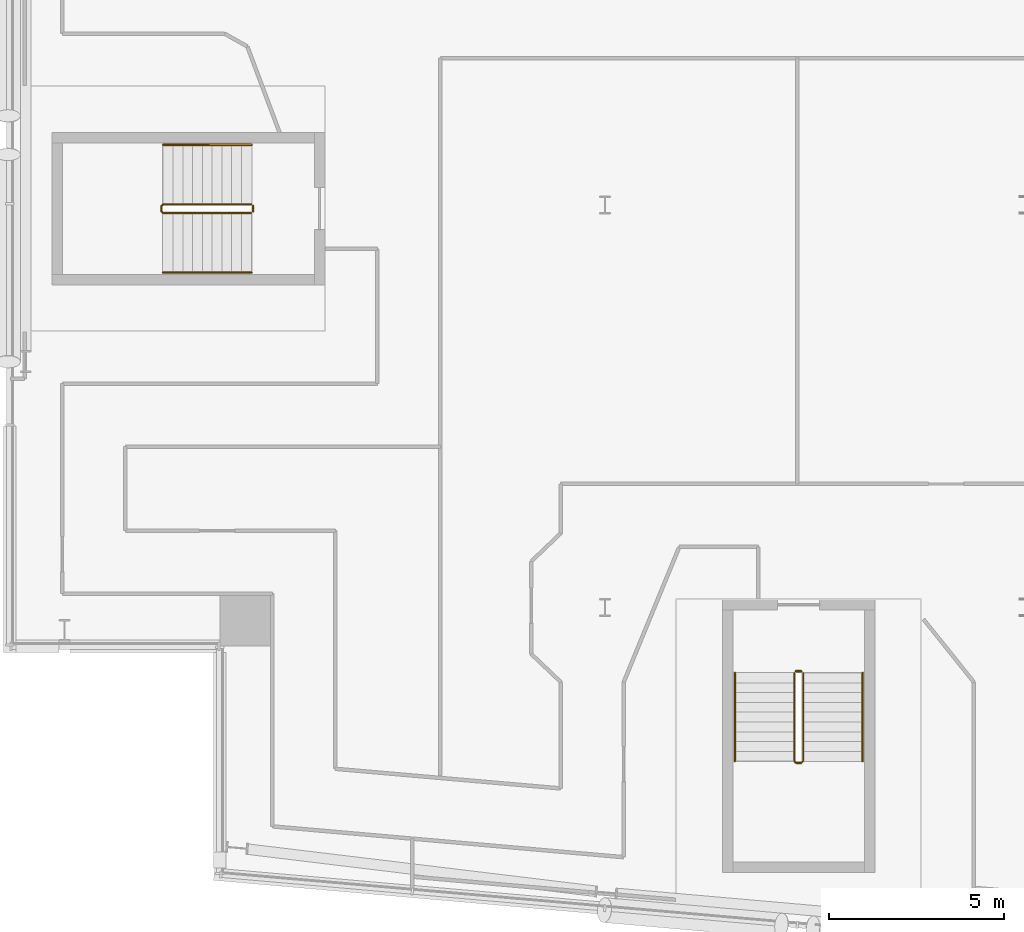
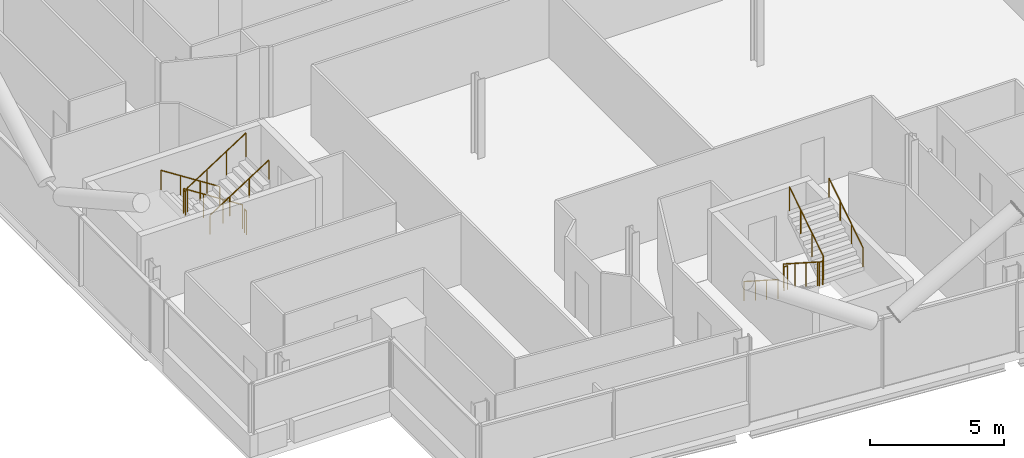
# One storey, part 26 of 28: 8 railings.
"""IFC4 building model written with IfcOpenShell, lengths in metres."""

import ifcopenshell
import ifcopenshell.guid

model = None  # the IFC model being written
_history = None  # IfcOwnerHistory: only IFC2X3 demands one
_inside = {}  # id of a spatial element -> (the spatial element, [elements in it])
_under = {}  # id of a project, library or spatial element -> (it, [spatial elements below it])
_declared = {}  # id of a project -> (the project, [libraries it declares])
_typed = {}  # id of a type object -> (the type object, [elements of that type])
_made_of = {}  # id of a material, layer set ... -> (it, [elements and type objects made of it])


def new_model(schema):
    """Start an empty IFC model of exactly this schema.

    Asked for "IFC4X3", IfcOpenShell would pick the latest addendum, in which some entities
    have other attributes; the version numbers below select the first issue.
    IFC2X3 requires an IfcOwnerHistory on every rooted entity: one is made here for all.
    """
    global model, _history
    if schema == "IFC4X3":
        model = ifcopenshell.file(schema_version=(4, 3, 0, 0))
    else:
        model = ifcopenshell.file(schema=schema)
    _inside.clear()
    _under.clear()
    _declared.clear()
    _typed.clear()
    _made_of.clear()
    _history = None
    if model.schema == "IFC2X3":
        org = make("IfcOrganization", Name="unknown")
        user = make(
            "IfcPersonAndOrganization",
            ThePerson=make("IfcPerson", FamilyName="unknown"),
            TheOrganization=org,
        )
        app = make(
            "IfcApplication",
            ApplicationDeveloper=org,
            Version="unknown",
            ApplicationFullName="unknown",
            ApplicationIdentifier="unknown",
        )
        _history = make(
            "IfcOwnerHistory",
            OwningUser=user,
            OwningApplication=app,
            ChangeAction="ADDED",
            CreationDate=0,
        )
    return model


def make(cls, **values):
    """One entity of the class cls with the attributes given. An attribute that is None is left unset."""
    return model.create_entity(
        cls, **{name: value for name, value in values.items() if value is not None}
    )


def rooted(cls, **values):
    """An entity with a GlobalId (a new one), such as an element, a storey or a relation."""
    return make(cls, GlobalId=ifcopenshell.guid.new(), OwnerHistory=_history, **values)


def si_unit(unit_type, name, prefix=None):
    """IfcSIUnit, for example si_unit("LENGTHUNIT", "METRE", prefix="MILLI")."""
    return make("IfcSIUnit", UnitType=unit_type, Prefix=prefix, Name=name)


def assignment(units):
    """IfcUnitAssignment: the units of a project."""
    return None if units is None else make("IfcUnitAssignment", Units=units)


def point(xyz):
    """IfcCartesianPoint."""
    return None if xyz is None else make("IfcCartesianPoint", Coordinates=xyz)


def direction(xyz):
    """IfcDirection."""
    return None if xyz is None else make("IfcDirection", DirectionRatios=xyz)


def frame(location, z_axis=None, x_axis=None):
    """IfcAxis2Placement3D, a coordinate frame: its origin and axes. An axis left out is left unset."""
    return make(
        "IfcAxis2Placement3D",
        Location=point(location),
        Axis=direction(z_axis),
        RefDirection=direction(x_axis),
    )


def frame_2d(location, x_axis=None):
    """IfcAxis2Placement2D, a coordinate frame in the plane: its origin and x axis."""
    return make(
        "IfcAxis2Placement2D", Location=point(location), RefDirection=direction(x_axis)
    )


def origin():
    """The frame at (0, 0, 0) with its axes left unset."""
    return frame((0.0, 0.0, 0.0))


def origin_2d():
    """The frame at (0, 0) in the plane with its x axis left unset."""
    return frame_2d((0.0, 0.0))


def place(relative_to, where):
    """IfcLocalPlacement: puts the frame where relative to a parent placement (None: the world)."""
    return make(
        "IfcLocalPlacement", PlacementRelTo=relative_to, RelativePlacement=where
    )


def context(
    kind, dimensions, precision=None, world=None, true_north=None, identifier=None
):
    """IfcGeometricRepresentationContext, for example the 3D "Model" context."""
    return make(
        "IfcGeometricRepresentationContext",
        ContextIdentifier=identifier,
        ContextType=kind,
        CoordinateSpaceDimension=dimensions,
        Precision=precision,
        WorldCoordinateSystem=world,
        TrueNorth=true_north,
    )


def subcontext(parent, identifier, kind, view, scale=None):
    """IfcGeometricRepresentationSubContext, for example "Body" below "Model"."""
    return make(
        "IfcGeometricRepresentationSubContext",
        ContextIdentifier=identifier,
        ContextType=kind,
        ParentContext=parent,
        TargetScale=scale,
        TargetView=view,
    )


def project(units=None, contexts=None):
    """IfcProject with its units and contexts."""
    return rooted(
        "IfcProject",
        Name="project",
        RepresentationContexts=contexts,
        UnitsInContext=assignment(units),
    )


def spatial(cls, under=None, at=None, **own):
    """A site, building, storey or space (cls), placed at a placement, below another one or the project."""
    s = rooted(cls, ObjectPlacement=at, **own)
    if under is not None:
        _under.setdefault(under.id(), (under, []))[1].append(s)
    return s


def profile(cls, at=None, kind="AREA", **sizes):
    """A parametric profile (cls). Its sizes go by their IFC names, for example OverallWidth=200.0."""
    return make(cls, ProfileType=kind, Position=at, **sizes)


def circle(**sizes):
    """IfcCircleProfileDef."""
    return profile("IfcCircleProfileDef", **sizes)


def extrude(swept, where, along, depth):
    """IfcExtrudedAreaSolid: the profile swept, set in the frame where, extruded along a direction by depth."""
    return make(
        "IfcExtrudedAreaSolid",
        SweptArea=swept,
        Position=where,
        ExtrudedDirection=direction(along),
        Depth=depth,
    )


def shape(context_of_items, identifier, shape_type, items):
    """IfcShapeRepresentation: the items that make up one representation, for example the "Body"."""
    return make(
        "IfcShapeRepresentation",
        ContextOfItems=context_of_items,
        RepresentationIdentifier=identifier,
        RepresentationType=shape_type,
        Items=items,
    )


def material(Name=None, Category=None):
    """IfcMaterial."""
    return make("IfcMaterial", Name=Name, Category=Category)


def made_of(thing, what):
    """Note that an element or type object is made of a material, layer set ...; save() writes the relation."""
    if what is not None:
        _made_of.setdefault(what.id(), (what, []))[1].append(thing)
    return thing


def type_object(cls, material=None, **own):
    """A type object (cls), such as IfcWallType, which elements share."""
    return made_of(rooted(cls, **own), material)


def element(
    cls,
    number,
    at=None,
    inside=None,
    cuts=None,
    type_object=None,
    material=None,
    context=None,
    identifier="Body",
    shape_type=None,
    held_by="IfcProductDefinitionShape",
    body=None,
    shapes=None,
    **own,
):
    """One element of the class cls, such as IfcWall. Its Tag is "e" and its number.

    at: its placement. inside: the storey or other place that contains it. cuts: it is an
    opening in that element (IfcRelVoidsElement). A single representation is given by context,
    identifier, shape_type and body (its items); several are given by shapes. held_by: the class
    of the entity that holds the representations. save() writes the other relations.
    """
    e = rooted(cls, Tag="e%d" % number, ObjectPlacement=at, **own)
    if body is not None:
        shapes = [shape(context, identifier, shape_type, body)]
    if shapes is not None:
        e.Representation = make(held_by, Representations=shapes)
    if inside is not None:
        _inside.setdefault(inside.id(), (inside, []))[1].append(e)
    if cuts is not None:
        rooted(
            "IfcRelVoidsElement", RelatingBuildingElement=cuts, RelatedOpeningElement=e
        )
    if type_object is not None:
        _typed.setdefault(type_object.id(), (type_object, []))[1].append(e)
    return made_of(e, material)


def aggregate(whole, parts):
    """IfcRelAggregates: a whole, such as a stair, and the parts it consists of."""
    return rooted("IfcRelAggregates", RelatingObject=whole, RelatedObjects=parts)


def save(model, path):
    """Write the relations noted so far, then the file.

    IfcRelAggregates (storeys below a building ...), IfcRelContainedInSpatialStructure (elements
    in a storey), IfcRelDefinesByType, IfcRelAssociatesMaterial and IfcRelDeclares: one each for
    every whole, place, type object, material and project.
    """
    for whole, parts in _under.values():
        aggregate(whole, parts)
    for where, things in _inside.values():
        rooted(
            "IfcRelContainedInSpatialStructure",
            RelatedElements=things,
            RelatingStructure=where,
        )
    for kind, things in _typed.values():
        rooted("IfcRelDefinesByType", RelatedObjects=things, RelatingType=kind)
    for what, things in _made_of.values():
        rooted("IfcRelAssociatesMaterial", RelatedObjects=things, RelatingMaterial=what)
    for by, libraries in _declared.values():
        rooted("IfcRelDeclares", RelatingContext=by, RelatedDefinitions=libraries)
    model.write(path)


model = new_model("IFC4")

# Units and contexts
model_context = context("Model", 3, precision=1e-05, world=origin(), true_north=direction((0.0, 1.0)))
body_context = subcontext(model_context, "Body", "Model", "MODEL_VIEW")
ifc_project = project(units=[si_unit("LENGTHUNIT", "METRE"), si_unit("AREAUNIT", "SQUARE_METRE"), si_unit("VOLUMEUNIT", "CUBIC_METRE"), si_unit("PLANEANGLEUNIT", "RADIAN"), si_unit("MASSUNIT", "GRAM", prefix="KILO")], contexts=[model_context])

# Site, building, storey
site_placement = place(None, origin())
site = spatial("IfcSite", under=ifc_project, at=site_placement, CompositionType="ELEMENT")
building_placement = place(site_placement, origin())
building = spatial("IfcBuilding", under=site, at=building_placement, Name="Wharfspan Tower", CompositionType="ELEMENT")
storey_placement = place(building_placement, frame((0.0, 0.0, 187.899902)))
storey = spatial("IfcBuildingStorey", under=building, at=storey_placement, Name="L46", CompositionType="ELEMENT", Elevation=187.899902)

# Railings
ifc_material = material(Name="Steel S355J2", Category="steel")
railing_type_1 = type_object("IfcRailingType", Name="Stair guard 1100", PredefinedType="GUARDRAIL", material=ifc_material)
railing_1_placement = place(storey_placement, frame((13.899902, 23.024902, 0.180176)))
element("IfcRailing", 1, at=railing_1_placement, inside=storey, type_object=railing_type_1, Name="L46 ST3 stair guard 1", PredefinedType="GUARDRAIL", context=body_context, shape_type="SweptSolid", body=[
    extrude(circle(Radius=0.023926, at=origin_2d()), frame((0.0, 0.0, 1.076172), z_axis=(-0.8412, 0.0, 0.540725), x_axis=(0.0, -1.0, 0.0)), (0.0, 0.0, 1.0), 2.99585),
    extrude(circle(Radius=0.023926, at=origin_2d()), frame((-2.52002, 0.0, 2.695801), z_axis=(-0.707107, -0.707107, 0.0), x_axis=(0.707107, -0.707107, 0.0)), (0.0, 0.0, 1.0), 0.070312),
    extrude(circle(Radius=0.023926, at=origin_2d()), frame((-2.569824, -0.049805, 2.695801), z_axis=(0.0, -1.0, 0.0), x_axis=(1.0, 0.0, 0.0)), (0.0, 0.0, 1.0), 0.150146),
    extrude(circle(Radius=0.023926, at=origin_2d()), frame((-2.569824, -0.199951, 2.695801), z_axis=(0.257669, -0.258932, 0.930892), x_axis=(0.708833, 0.705372, -1e-06)), (0.0, 0.0, 1.0), 0.193359),
    extrude(circle(Radius=0.023926, at=origin_2d()), frame((-2.52002, -0.25, 2.875977), z_axis=(0.841163, 0.0, 0.540782), x_axis=(0.0, 1.0, 0.0)), (0.0, 0.0, 1.0), 2.99585),
    extrude(circle(Radius=0.020996, at=origin_2d()), origin(), (0.0, 0.0, 1.0), 1.052002),
    extrude(circle(Radius=0.020996, at=origin_2d()), frame((-0.840088, 0.0, 0.540039)), (0.0, 0.0, 1.0), 1.052002),
    extrude(circle(Radius=0.020996, at=origin_2d()), frame((-1.679932, 0.0, 1.079834)), (0.0, 0.0, 1.0), 1.052002),
    extrude(circle(Radius=0.020996, at=origin_2d()), frame((-2.52002, 0.0, 1.619873)), (0.0, 0.0, 1.0), 1.052002),
    extrude(circle(Radius=0.020996, at=origin_2d()), frame((-2.569824, -0.049805, 1.619873)), (0.0, 0.0, 1.0), 1.052002),
    extrude(circle(Radius=0.020996, at=origin_2d()), frame((-2.569824, -0.199951, 1.619873)), (0.0, 0.0, 1.0), 1.052002),
    extrude(circle(Radius=0.020996, at=origin_2d()), frame((-2.52002, -0.25, 1.799805)), (0.0, 0.0, 1.0), 1.052002),
    extrude(circle(Radius=0.020996, at=origin_2d()), frame((-1.679932, -0.25, 2.339844)), (0.0, 0.0, 1.0), 1.052002),
    extrude(circle(Radius=0.020996, at=origin_2d()), frame((-0.840088, -0.25, 2.879883)), (0.0, 0.0, 1.0), 1.052002),
    extrude(circle(Radius=0.020996, at=origin_2d()), frame((0.0, -0.25, 3.419922)), (0.0, 0.0, 1.0), 1.052002),
])
railing_2_placement = place(storey_placement, frame((13.949951, 22.975098, 0.0)))
element("IfcRailing", 2, at=railing_2_placement, inside=storey, type_object=railing_type_1, Name="L46 ST3 stair guard 2", PredefinedType="GUARDRAIL", context=body_context, shape_type="SweptSolid", body=[
    extrude(circle(Radius=0.023926, at=origin_2d()), frame((0.0, 0.0, 1.076172), z_axis=(0.0, -1.0, 0.0), x_axis=(1.0, 0.0, 0.0)), (0.0, 0.0, 1.0), 0.150146),
    extrude(circle(Radius=0.020996, at=origin_2d()), origin(), (0.0, 0.0, 1.0), 1.052002),
    extrude(circle(Radius=0.020996, at=origin_2d()), frame((0.0, -0.150146, 0.0)), (0.0, 0.0, 1.0), 1.052002),
])
railing_3_placement = place(storey_placement, frame((29.414307, 9.634277, 0.180176)))
element("IfcRailing", 3, at=railing_3_placement, inside=storey, type_object=railing_type_1, Name="L46 ST4 stair guard 1", PredefinedType="GUARDRAIL", context=body_context, shape_type="SweptSolid", body=[
    extrude(circle(Radius=0.023926, at=origin_2d()), frame((0.0, 0.0, 1.076172), z_axis=(0.0, -0.8412, 0.540725), x_axis=(1.0, 0.0, 0.0)), (0.0, 0.0, 1.0), 2.99585),
    extrude(circle(Radius=0.023926, at=origin_2d()), frame((0.0, -2.52002, 2.695801), z_axis=(0.705376, -0.708834, 0.0), x_axis=(0.708834, 0.705376, 0.0)), (0.0, 0.0, 1.0), 0.070557),
    extrude(circle(Radius=0.023926, at=origin_2d()), frame((0.049805, -2.570068, 2.695801), z_axis=(1.0, 0.0, 0.0), x_axis=(0.0, 1.0, 0.0)), (0.0, 0.0, 1.0), 0.150146),
    extrude(circle(Radius=0.023926, at=origin_2d()), frame((0.199951, -2.570068, 2.695801), z_axis=(0.258848, 0.258848, 0.930589), x_axis=(-0.707107, 0.707107, 0.0)), (0.0, 0.0, 1.0), 0.193359),
    extrude(circle(Radius=0.023926, at=origin_2d()), frame((0.25, -2.52002, 2.875977), z_axis=(0.0, 0.841163, 0.540782), x_axis=(-1.0, 0.0, 0.0)), (0.0, 0.0, 1.0), 2.99585),
    extrude(circle(Radius=0.020996, at=origin_2d()), origin(), (0.0, 0.0, 1.0), 1.052002),
    extrude(circle(Radius=0.020996, at=origin_2d()), frame((0.0, -0.840088, 0.540039)), (0.0, 0.0, 1.0), 1.052002),
    extrude(circle(Radius=0.020996, at=origin_2d()), frame((0.0, -1.679932, 1.079834)), (0.0, 0.0, 1.0), 1.052002),
    extrude(circle(Radius=0.020996, at=origin_2d()), frame((0.0, -2.52002, 1.619873)), (0.0, 0.0, 1.0), 1.052002),
    extrude(circle(Radius=0.020996, at=origin_2d()), frame((0.049805, -2.570068, 1.619873)), (0.0, 0.0, 1.0), 1.052002),
    extrude(circle(Radius=0.020996, at=origin_2d()), frame((0.199951, -2.570068, 1.619873)), (0.0, 0.0, 1.0), 1.052002),
    extrude(circle(Radius=0.020996, at=origin_2d()), frame((0.25, -2.52002, 1.799805)), (0.0, 0.0, 1.0), 1.052002),
    extrude(circle(Radius=0.020996, at=origin_2d()), frame((0.25, -1.679932, 2.339844)), (0.0, 0.0, 1.0), 1.052002),
    extrude(circle(Radius=0.020996, at=origin_2d()), frame((0.25, -0.840088, 2.879883)), (0.0, 0.0, 1.0), 1.052002),
    extrude(circle(Radius=0.020996, at=origin_2d()), frame((0.25, 0.0, 3.419922)), (0.0, 0.0, 1.0), 1.052002),
])
railing_4_placement = place(storey_placement, frame((29.464111, 9.684326, 0.0)))
element("IfcRailing", 4, at=railing_4_placement, inside=storey, type_object=railing_type_1, Name="L46 ST4 stair guard 2", PredefinedType="GUARDRAIL", context=body_context, shape_type="SweptSolid", body=[
    extrude(circle(Radius=0.023926, at=origin_2d()), frame((0.0, 0.0, 1.076172), z_axis=(1.0, 0.0, 0.0), x_axis=(0.0, 1.0, 0.0)), (0.0, 0.0, 1.0), 0.150146),
    extrude(circle(Radius=0.020996, at=origin_2d()), origin(), (0.0, 0.0, 1.0), 1.052002),
    extrude(circle(Radius=0.020996, at=origin_2d()), frame((0.150146, 0.0, 0.0)), (0.0, 0.0, 1.0), 1.052002),
])
railing_type_2 = type_object("IfcRailingType", Name="Stair handrail 900", PredefinedType="HANDRAIL", material=ifc_material)
railing_5_placement = place(storey_placement, frame((13.899902, 24.725098, 0.180176)))
element("IfcRailing", 5, at=railing_5_placement, inside=storey, type_object=railing_type_2, Name="L46 ST3 stair handrail 1", PredefinedType="HANDRAIL", context=body_context, shape_type="SweptSolid", body=[
    extrude(circle(Radius=0.023926, at=origin_2d()), frame((0.0, 0.0, 0.875977), z_axis=(-0.8412, 0.0, 0.540725), x_axis=(0.0, -1.0, 0.0)), (0.0, 0.0, 1.0), 2.99585),
    extrude(circle(Radius=0.020996, at=origin_2d()), origin(), (0.0, 0.0, 1.0), 0.851807),
    extrude(circle(Radius=0.020996, at=origin_2d()), frame((-0.840088, 0.0, 0.540039)), (0.0, 0.0, 1.0), 0.851807),
    extrude(circle(Radius=0.020996, at=origin_2d()), frame((-1.679932, 0.0, 1.079834)), (0.0, 0.0, 1.0), 0.851807),
    extrude(circle(Radius=0.020996, at=origin_2d()), frame((-2.52002, 0.0, 1.619873)), (0.0, 0.0, 1.0), 0.851807),
])
railing_6_placement = place(storey_placement, frame((11.379883, 21.074951, 1.97998)))
element("IfcRailing", 6, at=railing_6_placement, inside=storey, type_object=railing_type_2, Name="L46 ST3 stair handrail 2", PredefinedType="HANDRAIL", context=body_context, shape_type="SweptSolid", body=[
    extrude(circle(Radius=0.023926, at=origin_2d()), frame((0.0, 0.0, 0.875977), z_axis=(0.841163, 0.0, 0.540782), x_axis=(0.0, 1.0, 0.0)), (0.0, 0.0, 1.0), 2.99585),
    extrude(circle(Radius=0.020996, at=origin_2d()), origin(), (0.0, 0.0, 1.0), 0.851807),
    extrude(circle(Radius=0.020996, at=origin_2d()), frame((0.840088, 0.0, 0.540039)), (0.0, 0.0, 1.0), 0.851807),
    extrude(circle(Radius=0.020996, at=origin_2d()), frame((1.679932, 0.0, 1.080078)), (0.0, 0.0, 1.0), 0.851807),
    extrude(circle(Radius=0.020996, at=origin_2d()), frame((2.52002, 0.0, 1.620117)), (0.0, 0.0, 1.0), 0.851807),
])
railing_7_placement = place(storey_placement, frame((27.714111, 9.634277, 0.180176)))
element("IfcRailing", 7, at=railing_7_placement, inside=storey, type_object=railing_type_2, Name="L46 ST4 stair handrail 1", PredefinedType="HANDRAIL", context=body_context, shape_type="SweptSolid", body=[
    extrude(circle(Radius=0.023926, at=origin_2d()), frame((0.0, 0.0, 0.875977), z_axis=(0.0, -0.8412, 0.540725), x_axis=(1.0, 0.0, 0.0)), (0.0, 0.0, 1.0), 2.99585),
    extrude(circle(Radius=0.020996, at=origin_2d()), origin(), (0.0, 0.0, 1.0), 0.851807),
    extrude(circle(Radius=0.020996, at=origin_2d()), frame((0.0, -0.840088, 0.540039)), (0.0, 0.0, 1.0), 0.851807),
    extrude(circle(Radius=0.020996, at=origin_2d()), frame((0.0, -1.679932, 1.079834)), (0.0, 0.0, 1.0), 0.851807),
    extrude(circle(Radius=0.020996, at=origin_2d()), frame((0.0, -2.52002, 1.619873)), (0.0, 0.0, 1.0), 0.851807),
])
railing_8_placement = place(storey_placement, frame((31.364258, 7.114258, 1.97998)))
element("IfcRailing", 8, at=railing_8_placement, inside=storey, type_object=railing_type_2, Name="L46 ST4 stair handrail 2", PredefinedType="HANDRAIL", context=body_context, shape_type="SweptSolid", body=[
    extrude(circle(Radius=0.023926, at=origin_2d()), frame((0.0, 0.0, 0.875977), z_axis=(0.0, 0.841163, 0.540782), x_axis=(-1.0, 0.0, 0.0)), (0.0, 0.0, 1.0), 2.99585),
    extrude(circle(Radius=0.020996, at=origin_2d()), origin(), (0.0, 0.0, 1.0), 0.851807),
    extrude(circle(Radius=0.020996, at=origin_2d()), frame((0.0, 0.840088, 0.540039)), (0.0, 0.0, 1.0), 0.851807),
    extrude(circle(Radius=0.020996, at=origin_2d()), frame((0.0, 1.679932, 1.080078)), (0.0, 0.0, 1.0), 0.851807),
    extrude(circle(Radius=0.020996, at=origin_2d()), frame((0.0, 2.52002, 1.620117)), (0.0, 0.0, 1.0), 0.851807),
])

save(model, "model.ifc")
